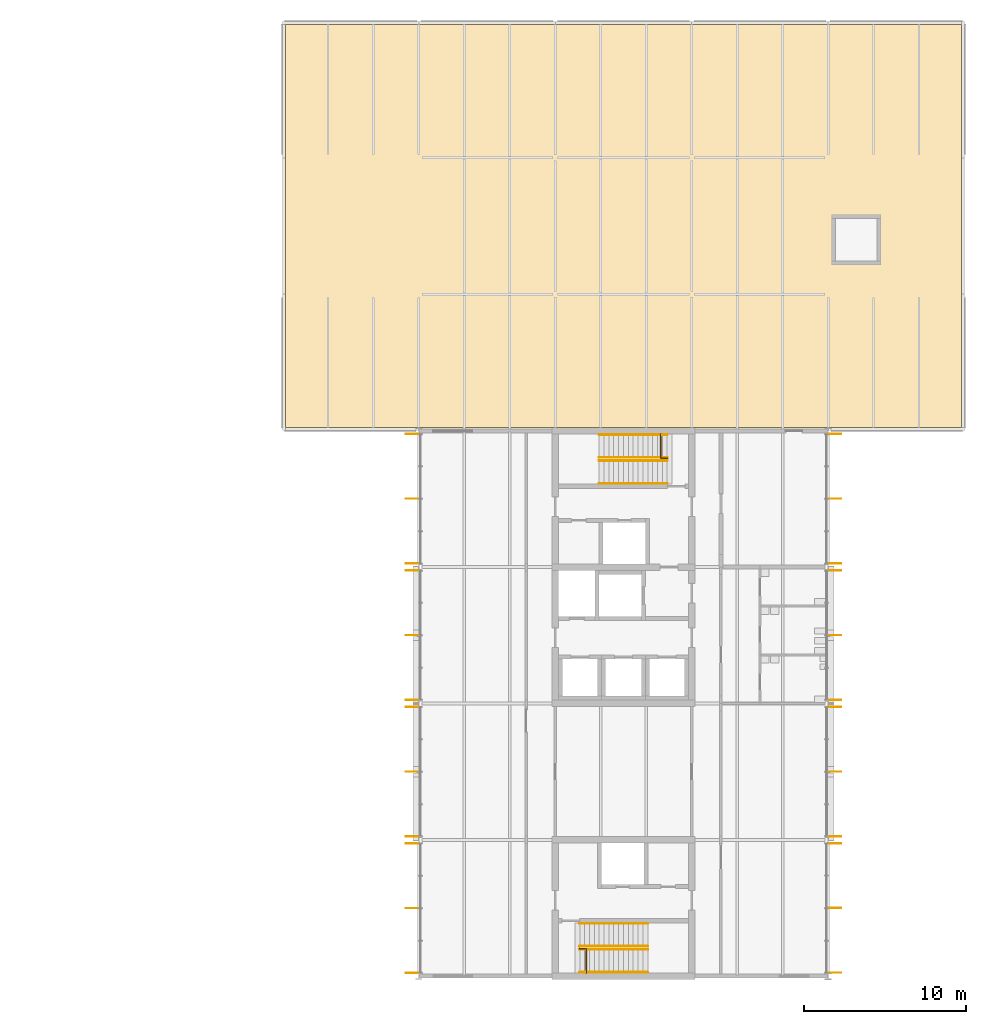
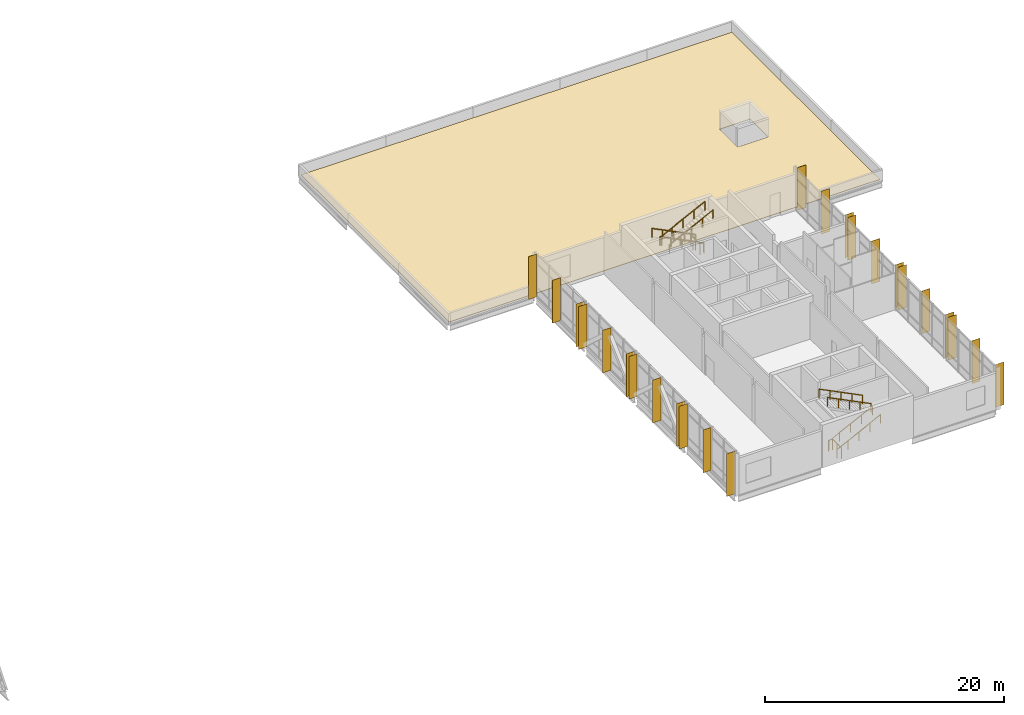
# One storey, part 25 of 26: 24 shading devices, 10 railings, 1 covering.
"""IFC4 building model written with IfcOpenShell, lengths in metres."""

from ifc_helpers import new_model, si_unit, direction, frame, origin, origin_2d, place, context, subcontext, project, spatial, polyline, rectangle, circle, outline, extrude, material, layer, layer_set, type_object, element, save


model = new_model("IFC4")

# Units and contexts
model_context = context("Model", 3, precision=1e-05, world=origin(), true_north=direction((0.0, 1.0)))
body_context = subcontext(model_context, "Body", "Model", "MODEL_VIEW")
ifc_project = project(units=[si_unit("LENGTHUNIT", "METRE"), si_unit("AREAUNIT", "SQUARE_METRE"), si_unit("VOLUMEUNIT", "CUBIC_METRE"), si_unit("PLANEANGLEUNIT", "RADIAN"), si_unit("MASSUNIT", "GRAM", prefix="KILO")], contexts=[model_context])

# Site, building, storey
site_placement = place(None, origin())
site = spatial("IfcSite", under=ifc_project, at=site_placement, CompositionType="ELEMENT")
building_placement = place(site_placement, origin())
building = spatial("IfcBuilding", under=site, at=building_placement, Name="Hlaing Beacon Police Headquarters", CompositionType="ELEMENT")
storey_placement = place(building_placement, frame((0.0, 0.0, 23.39990234375)))
storey = spatial("IfcBuildingStorey", under=building, at=storey_placement, Name="L05", CompositionType="ELEMENT", Elevation=23.39990234375)

# Shading devices
ifc_material_1 = material(Name="Aluminium 6063-T5 anodised", Category="aluminium")
ifc_layer_1 = layer(ifc_material_1, 0.01611328125)
ifc_layer_set_1 = layer_set([ifc_layer_1], Name="Aluminium 6063-T5 anodised")
shading_device_type = type_object("IfcShadingDeviceType", Name="Aluminium fin 16x800", PredefinedType="JALOUSIE", material=ifc_layer_set_1)
for number, where, z_axis, x_axis, name in (
    (1, (126.39990234375, 33.826904296875, 0.0), (0.0, 0.0, 1.0), (0.0, 1.0, 0.0), "Fin L05 E001.0"),
    (2, (126.39990234375, 37.804931640625, 0.0), (0.0, 0.0, 1.0), (0.0, 1.0, 0.0), "Fin L05 E001.2"),
    (3, (126.39990234375, 41.783203125, 0.0), (0.0, 0.0, 1.0), (0.0, 1.0, 0.0), "Fin L05 E001.4"),
    (4, (126.39990234375, 42.216796875, 0.0), (0.0, 0.0, 1.0), (0.0, 1.0, 0.0), "Fin L05 E002.0"),
    (5, (126.39990234375, 46.199951171875, 0.0), (0.0, 0.0, 1.0), (0.0, 1.0, 0.0), "Fin L05 E002.2"),
    (6, (126.39990234375, 50.183349609375, 0.0), (0.0, 0.0, 1.0), (0.0, 1.0, 0.0), "Fin L05 E002.4"),
    (7, (126.39990234375, 50.61669921875, 0.0), (0.0, 0.0, 1.0), (0.0, 1.0, 0.0), "Fin L05 E003.0"),
    (8, (126.39990234375, 54.60009765625, 0.0), (0.0, 0.0, 1.0), (0.0, 1.0, 0.0), "Fin L05 E003.2"),
    (9, (126.39990234375, 58.583251953125, 0.0), (0.0, 0.0, 1.0), (0.0, 1.0, 0.0), "Fin L05 E003.4"),
    (10, (126.39990234375, 59.0166015625, 0.0), (0.0, 0.0, 1.0), (0.0, 1.0, 0.0), "Fin L05 E004.0"),
    (11, (126.39990234375, 63.00244140625, 0.0), (0.0, 0.0, 1.0), (0.0, 1.0, 0.0), "Fin L05 E004.2"),
    (12, (126.39990234375, 66.98828125, 0.0), (0.0, 0.0, 1.0), (0.0, 1.0, 0.0), "Fin L05 E004.4"),
    (13, (100.39990234375, 66.98828125, 0.0), (0.0, 0.0, 1.0), (0.0, -1.0, 0.0), "Fin L05 W005.0"),
    (14, (100.39990234375, 63.00244140625, 0.0), (0.0, 0.0, 1.0), (0.0, -1.0, 0.0), "Fin L05 W005.2"),
    (15, (100.39990234375, 59.0166015625, 0.0), (0.0, 0.0, 1.0), (0.0, -1.0, 0.0), "Fin L05 W005.4"),
    (16, (100.39990234375, 58.583251953125, 0.0), (0.0, 0.0, 1.0), (0.0, -1.0, 0.0), "Fin L05 W006.0"),
    (17, (100.39990234375, 54.60009765625, 0.0), (0.0, 0.0, 1.0), (0.0, -1.0, 0.0), "Fin L05 W006.2"),
    (18, (100.39990234375, 50.61669921875, 0.0), (0.0, 0.0, 1.0), (0.0, -1.0, 0.0), "Fin L05 W006.4"),
    (19, (100.39990234375, 50.183349609375, 0.0), (0.0, 0.0, 1.0), (0.0, -1.0, 0.0), "Fin L05 W007.0"),
    (20, (100.39990234375, 46.199951171875, 0.0), (0.0, 0.0, 1.0), (0.0, -1.0, 0.0), "Fin L05 W007.2"),
    (21, (100.39990234375, 42.216796875, 0.0), (0.0, 0.0, 1.0), (0.0, -1.0, 0.0), "Fin L05 W007.4"),
    (22, (100.39990234375, 41.783203125, 0.0), (0.0, 0.0, 1.0), (0.0, -1.0, 0.0), "Fin L05 W008.0"),
    (23, (100.39990234375, 37.79736328125, 0.0), (0.0, 0.0, 1.0), (0.0, -1.0, 0.0), "Fin L05 W008.2"),
    (24, (100.39990234375, 33.8115234375, 0.0), (0.0, 0.0, 1.0), (0.0, -1.0, 0.0), "Fin L05 W008.4"),
):
    element("IfcShadingDevice", number, at=place(storey_placement, frame(where, z_axis=z_axis, x_axis=x_axis)), inside=storey, type_object=shading_device_type, Name=name, PredefinedType="JALOUSIE", context=body_context, shape_type="SweptSolid", body=[
        extrude(rectangle(XDim=0.01611328125, YDim=0.800048828125, at=origin_2d()), origin(), (0.0, 0.0, 1.0), 4.3701171875),
    ])

# Covering
ifc_material_2 = material(Name="Bituminous roofing membrane")
ifc_layer_2 = layer(ifc_material_2, 0.050048828125)
ifc_layer_set_2 = layer_set([ifc_layer_2], Name="Bituminous roofing membrane")
covering_type = type_object("IfcCoveringType", Name="Roofing membrane 50", PredefinedType="ROOFING", material=ifc_layer_set_2)
covering_placement = place(storey_placement, origin())
element("IfcCovering", 25, at=covering_placement, inside=storey, type_object=covering_type, Name="Roofing V7 1", PredefinedType="ROOFING", context=body_context, shape_type="SweptSolid", body=[
    extrude(outline(polyline([(92.60009765625, 92.199951171875), (134.199951171875, 92.199951171875), (134.199951171875, 67.39990234375), (92.60009765625, 67.39990234375), (92.60009765625, 92.199951171875)]), holes=[polyline([(129.199951171875, 77.449951171875), (129.199951171875, 80.449951171875), (126.25, 80.449951171875), (126.25, 77.449951171875), (129.199951171875, 77.449951171875)])]), origin(), (0.0, 0.0, 1.0), 0.050048828125),
])

# Railings
ifc_material_3 = material(Name="Stainless steel", Category="steel")
railing_type_1 = type_object("IfcRailingType", Name="Stair guard 1100", PredefinedType="GUARDRAIL", material=ifc_material_3)
railing_1_placement = place(storey_placement, frame((115.699951171875, 67.0, 0.0)))
element("IfcRailing", 26, at=railing_1_placement, inside=storey, type_object=railing_type_1, Name="Guard ST-M", PredefinedType="GUARDRAIL", context=body_context, shape_type="SweptSolid", body=[
    extrude(circle(Radius=0.02392578125, at=origin_2d()), frame((0.0, 0.0, 1.076171875), z_axis=(0.0, -1.0, 0.0), x_axis=(1.0, 0.0, 0.0)), (0.0, 0.0, 1.0), 1.5),
    extrude(circle(Radius=0.02392578125, at=origin_2d()), frame((0.0, -1.5, 1.076171875), z_axis=(1.0, 0.0, 0.0), x_axis=(0.0, 1.0, 0.0)), (0.0, 0.0, 1.0), 0.400146484375),
    extrude(circle(Radius=0.02099609375, at=origin_2d()), origin(), (0.0, 0.0, 1.0), 1.052001953125),
    extrude(circle(Radius=0.02099609375, at=origin_2d()), frame((0.0, -0.75, 0.0)), (0.0, 0.0, 1.0), 1.052001953125),
    extrude(circle(Radius=0.02099609375, at=origin_2d()), frame((0.0, -1.5, 0.0)), (0.0, 0.0, 1.0), 1.052001953125),
    extrude(circle(Radius=0.02099609375, at=origin_2d()), frame((0.400146484375, -1.5, 0.0)), (0.0, 0.0, 1.0), 1.052001953125),
])
railing_2_placement = place(storey_placement, frame((111.10009765625, 33.800048828125, 0.0)))
element("IfcRailing", 27, at=railing_2_placement, inside=storey, type_object=railing_type_1, Name="Guard ST-L", PredefinedType="GUARDRAIL", context=body_context, shape_type="SweptSolid", body=[
    extrude(circle(Radius=0.02392578125, at=origin_2d()), frame((0.0, 0.0, 1.076171875), z_axis=(0.0, 1.0, 0.0), x_axis=(-1.0, 0.0, 0.0)), (0.0, 0.0, 1.0), 1.5),
    extrude(circle(Radius=0.02392578125, at=origin_2d()), frame((0.0, 1.5, 1.076171875), z_axis=(-1.0, 0.0, 0.0), x_axis=(0.0, -1.0, 0.0)), (0.0, 0.0, 1.0), 0.400146484375),
    extrude(circle(Radius=0.02099609375, at=origin_2d()), origin(), (0.0, 0.0, 1.0), 1.052001953125),
    extrude(circle(Radius=0.02099609375, at=origin_2d()), frame((0.0, 0.75, 0.0)), (0.0, 0.0, 1.0), 1.052001953125),
    extrude(circle(Radius=0.02099609375, at=origin_2d()), frame((0.0, 1.5, 0.0)), (0.0, 0.0, 1.0), 1.052001953125),
    extrude(circle(Radius=0.02099609375, at=origin_2d()), frame((-0.400146484375, 1.5, 0.0)), (0.0, 0.0, 1.0), 1.052001953125),
])
ifc_material_4 = material(Name="Stainless steel", Category="steel")
railing_type_2 = type_object("IfcRailingType", Name="Stair handrail 900", PredefinedType="HANDRAIL", material=ifc_material_4)
for number, where, name in (
    (28, (116.10009765625, 66.949951171875, 0.150146484375), "Handrail ST-M"),
    (29, (116.10009765625, 65.550048828125, 0.150146484375), "Handrail ST-M"),
):
    element("IfcRailing", number, at=place(storey_placement, frame(where)), inside=storey, type_object=railing_type_2, Name=name, PredefinedType="HANDRAIL", context=body_context, shape_type="SweptSolid", body=[
        extrude(circle(Radius=0.02392578125, at=origin_2d()), frame((0.0, 0.0, 0.8759765625), z_axis=(-0.894447986312, 0.0, 0.447172002457), x_axis=(0.0, -1.0, 0.0)), (0.0, 0.0, 1.0), 4.69580078125),
        extrude(circle(Radius=0.02099609375, at=origin_2d()), origin(), (0.0, 0.0, 1.0), 0.851806640625),
        extrude(circle(Radius=0.02099609375, at=origin_2d()), frame((-1.050048828125, 0.0, 0.52490234375)), (0.0, 0.0, 1.0), 0.851806640625),
        extrude(circle(Radius=0.02099609375, at=origin_2d()), frame((-2.10009765625, 0.0, 1.0498046875)), (0.0, 0.0, 1.0), 0.851806640625),
        extrude(circle(Radius=0.02099609375, at=origin_2d()), frame((-3.150146484375, 0.0, 1.574951171875)), (0.0, 0.0, 1.0), 0.851806640625),
        extrude(circle(Radius=0.02099609375, at=origin_2d()), frame((-4.2001953125, 0.0, 2.099853515625)), (0.0, 0.0, 1.0), 0.851806640625),
    ])
for number, where, name in (
    (30, (111.89990234375, 65.35009765625, 2.400146484375), "Handrail ST-M"),
    (31, (111.89990234375, 63.949951171875, 2.400146484375), "Handrail ST-M"),
):
    element("IfcRailing", number, at=place(storey_placement, frame(where)), inside=storey, type_object=railing_type_2, Name=name, PredefinedType="HANDRAIL", context=body_context, shape_type="SweptSolid", body=[
        extrude(circle(Radius=0.02392578125, at=origin_2d()), frame((0.0, 0.0, 0.8759765625), z_axis=(0.894447986312, 0.0, 0.447172002457), x_axis=(0.0, 1.0, 0.0)), (0.0, 0.0, 1.0), 4.69580078125),
        extrude(circle(Radius=0.02099609375, at=origin_2d()), origin(), (0.0, 0.0, 1.0), 0.851806640625),
        extrude(circle(Radius=0.02099609375, at=origin_2d()), frame((1.050048828125, 0.0, 0.52490234375)), (0.0, 0.0, 1.0), 0.851806640625),
        extrude(circle(Radius=0.02099609375, at=origin_2d()), frame((2.10009765625, 0.0, 1.0498046875)), (0.0, 0.0, 1.0), 0.851806640625),
        extrude(circle(Radius=0.02099609375, at=origin_2d()), frame((3.150146484375, 0.0, 1.574951171875)), (0.0, 0.0, 1.0), 0.851806640625),
        extrude(circle(Radius=0.02099609375, at=origin_2d()), frame((4.2001953125, 0.0, 2.099853515625)), (0.0, 0.0, 1.0), 0.851806640625),
    ])
for number, where, name in (
    (32, (110.699951171875, 33.85009765625, 0.150146484375), "Handrail ST-L"),
    (33, (110.699951171875, 35.25, 0.150146484375), "Handrail ST-L"),
):
    element("IfcRailing", number, at=place(storey_placement, frame(where)), inside=storey, type_object=railing_type_2, Name=name, PredefinedType="HANDRAIL", context=body_context, shape_type="SweptSolid", body=[
        extrude(circle(Radius=0.02392578125, at=origin_2d()), frame((0.0, 0.0, 0.8759765625), z_axis=(0.894437589381, 0.0, 0.447192798132), x_axis=(0.0, 1.0, 0.0)), (0.0, 0.0, 1.0), 4.695556640625),
        extrude(circle(Radius=0.02099609375, at=origin_2d()), origin(), (0.0, 0.0, 1.0), 0.851806640625),
        extrude(circle(Radius=0.02099609375, at=origin_2d()), frame((1.050048828125, 0.0, 0.52490234375)), (0.0, 0.0, 1.0), 0.851806640625),
        extrude(circle(Radius=0.02099609375, at=origin_2d()), frame((2.10009765625, 0.0, 1.0498046875)), (0.0, 0.0, 1.0), 0.851806640625),
        extrude(circle(Radius=0.02099609375, at=origin_2d()), frame((3.14990234375, 0.0, 1.574951171875)), (0.0, 0.0, 1.0), 0.851806640625),
        extrude(circle(Radius=0.02099609375, at=origin_2d()), frame((4.199951171875, 0.0, 2.099853515625)), (0.0, 0.0, 1.0), 0.851806640625),
    ])
for number, where, name in (
    (34, (114.89990234375, 35.449951171875, 2.400146484375), "Handrail ST-L"),
    (35, (114.89990234375, 36.85009765625, 2.400146484375), "Handrail ST-L"),
):
    element("IfcRailing", number, at=place(storey_placement, frame(where)), inside=storey, type_object=railing_type_2, Name=name, PredefinedType="HANDRAIL", context=body_context, shape_type="SweptSolid", body=[
        extrude(circle(Radius=0.02392578125, at=origin_2d()), frame((0.0, 0.0, 0.8759765625), z_axis=(-0.894437589381, 0.0, 0.447192798132), x_axis=(0.0, -1.0, 0.0)), (0.0, 0.0, 1.0), 4.695556640625),
        extrude(circle(Radius=0.02099609375, at=origin_2d()), origin(), (0.0, 0.0, 1.0), 0.851806640625),
        extrude(circle(Radius=0.02099609375, at=origin_2d()), frame((-1.050048828125, 0.0, 0.52490234375)), (0.0, 0.0, 1.0), 0.851806640625),
        extrude(circle(Radius=0.02099609375, at=origin_2d()), frame((-2.10009765625, 0.0, 1.0498046875)), (0.0, 0.0, 1.0), 0.851806640625),
        extrude(circle(Radius=0.02099609375, at=origin_2d()), frame((-3.14990234375, 0.0, 1.574951171875)), (0.0, 0.0, 1.0), 0.851806640625),
        extrude(circle(Radius=0.02099609375, at=origin_2d()), frame((-4.199951171875, 0.0, 2.099853515625)), (0.0, 0.0, 1.0), 0.851806640625),
    ])

save(model, "model.ifc")
